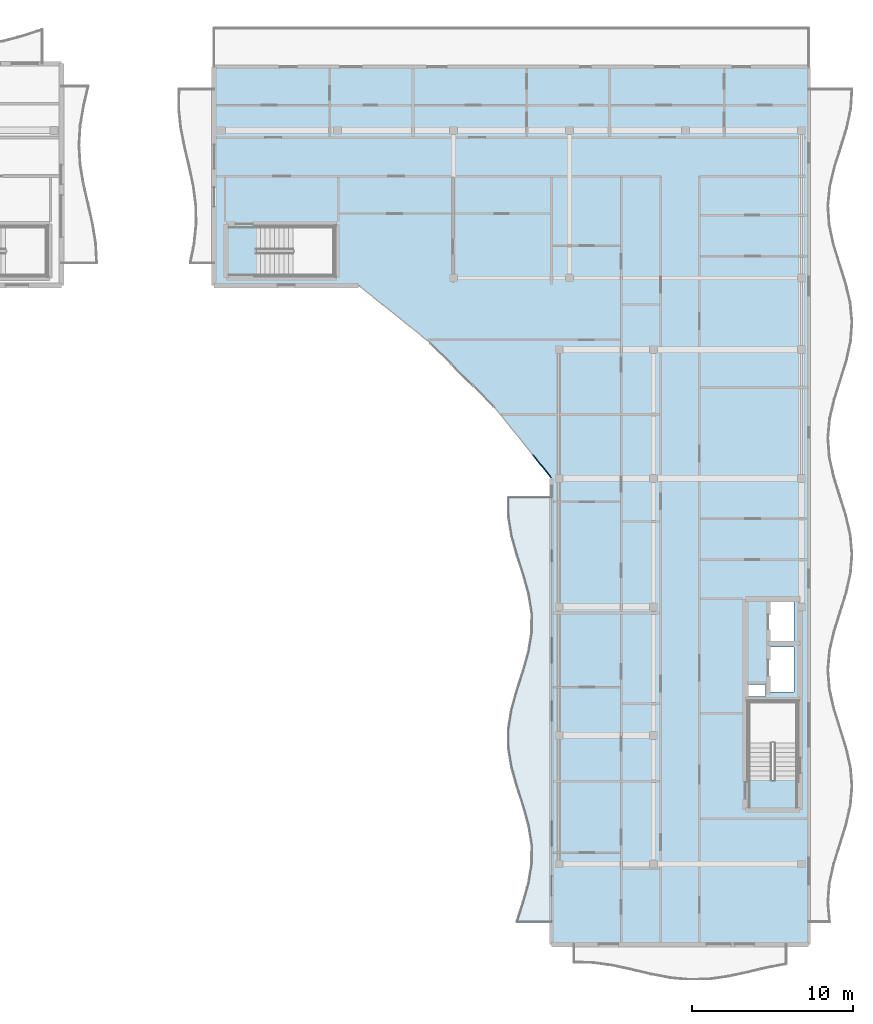
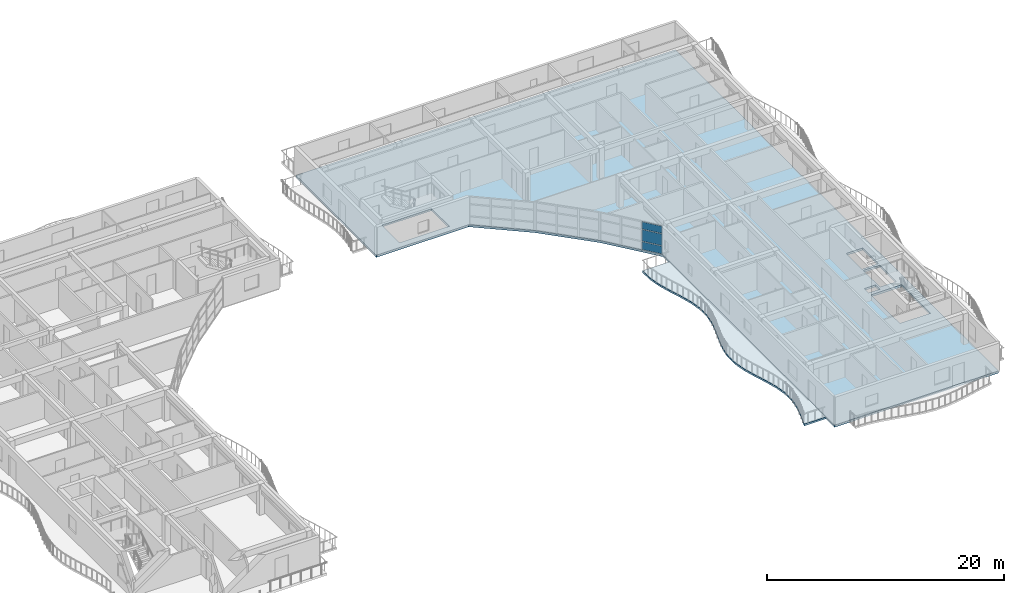
# One storey, part 18 of 39: 3 plates, 2 slabs, 1 element without a shape of its own.
"""IFC4 building model written with IfcOpenShell, lengths in metres."""

from ifc_helpers import new_model, si_unit, direction, frame, origin, origin_2d, place, context, subcontext, project, spatial, polyline, rectangle, outline, extrude, material, layer, layer_set, type_object, element, aggregate, save


model = new_model("IFC4")

# Units and contexts
model_context = context("Model", 3, precision=1e-05, world=origin(), true_north=direction((0.0, 1.0)))
body_context = subcontext(model_context, "Body", "Model", "MODEL_VIEW")
ifc_project = project(units=[si_unit("LENGTHUNIT", "METRE"), si_unit("AREAUNIT", "SQUARE_METRE"), si_unit("VOLUMEUNIT", "CUBIC_METRE"), si_unit("PLANEANGLEUNIT", "RADIAN"), si_unit("MASSUNIT", "GRAM", prefix="KILO")], contexts=[model_context])

# Site, building, storey
site_placement = place(None, origin())
site = spatial("IfcSite", under=ifc_project, at=site_placement, CompositionType="ELEMENT")
building_placement = place(site_placement, origin())
building = spatial("IfcBuilding", under=site, at=building_placement, Name="Keldmere Railside Commons", CompositionType="ELEMENT")
storey_placement = place(building_placement, frame((0.0, 0.0, 32.9599609375)))
storey = spatial("IfcBuildingStorey", under=building, at=storey_placement, Name="L10", CompositionType="ELEMENT", Elevation=32.9599609375)

# Curtain wall, plates
ifc_material_1 = material(Name="Thermally Broken Aluminium", Category="aluminium")
ifc_layer_1 = layer(ifc_material_1, 0.159912109375, Name="Court Chord Wintergarden CW 5400x2850")
ifc_layer_set_1 = layer_set([ifc_layer_1], Name="Thermally Broken Aluminium")
curtain_wall_type = type_object("IfcCurtainWallType", Name="Court Chord Wintergarden CW 5400x2850", PredefinedType="NOTDEFINED", material=ifc_layer_set_1)
curtain_wall_placement = place(storey_placement, origin())
curtain_wall = element("IfcCurtainWall", 1, at=curtain_wall_placement, inside=storey, type_object=curtain_wall_type, Name="CW-13 CW-L10-189", PredefinedType="NOTDEFINED")
ifc_material_2 = material(Name="Insulated Aluminium Spandrel Panel", Category="aluminium")
ifc_layer_2 = layer(ifc_material_2, 0.050048828125, Name="Insulated Terracotta Spandrel Panel 50")
ifc_layer_set_2 = layer_set([ifc_layer_2], Name="Insulated Aluminium Spandrel Panel")
plate_type = type_object("IfcPlateType", Name="Insulated Terracotta Spandrel Panel 50", PredefinedType="CURTAIN_PANEL", material=ifc_layer_set_2)
plate_1_placement = place(storey_placement, frame((167.3974609375, 88.7509765625, 0.06494140625), z_axis=(0.0, 0.0, 1.0), x_axis=(-0.625768080915, 0.780009172323, 0.0)))
plate_1 = element("IfcPlate", 2, at=plate_1_placement, type_object=plate_type, Name="CW-13 panel 1.1", PredefinedType="CURTAIN_PANEL", context=body_context, shape_type="SweptSolid", body=[
    extrude(rectangle(XDim=1.795654296875, YDim=0.050048828125, at=origin_2d()), origin(), (0.0, 0.0, 1.0), 0.802490234375),
])
plate_2_placement = place(storey_placement, frame((167.3974609375, 88.7509765625, 0.9326171875), z_axis=(0.0, 0.0, 1.0), x_axis=(-0.625768080915, 0.780009172323, 0.0)))
plate_2 = element("IfcPlate", 3, at=plate_2_placement, type_object=plate_type, Name="CW-13 panel 1.2", PredefinedType="CURTAIN_PANEL", context=body_context, shape_type="SweptSolid", body=[
    extrude(rectangle(XDim=1.795654296875, YDim=0.050048828125, at=origin_2d()), origin(), (0.0, 0.0, 1.0), 1.18505859375),
])
plate_3_placement = place(storey_placement, frame((167.3974609375, 88.7509765625, 2.1826171875), z_axis=(0.0, 0.0, 1.0), x_axis=(-0.625768080915, 0.780009172323, 0.0)))
plate_3 = element("IfcPlate", 4, at=plate_3_placement, type_object=plate_type, Name="CW-13 panel 1.3", PredefinedType="CURTAIN_PANEL", context=body_context, shape_type="SweptSolid", body=[
    extrude(rectangle(XDim=1.795654296875, YDim=0.050048828125, at=origin_2d()), origin(), (0.0, 0.0, 1.0), 0.732421875),
])
aggregate(curtain_wall, [plate_1, plate_2, plate_3])

# Slabs
ifc_material_3 = material(Name="Concrete H-30 (C30/37)", Category="concrete")
ifc_layer_3 = layer(ifc_material_3, 0.219970703125, Name="Residential Flat Slab 220")
ifc_layer_set_3 = layer_set([ifc_layer_3], Name="Concrete H-30 (C30/37)")
slab_type_1 = type_object("IfcSlabType", Name="Residential Flat Slab 220", PredefinedType="FLOOR", material=ifc_layer_set_3)
slab_1_placement = place(storey_placement, frame((0.0, 0.0, -0.219970703125)))
element("IfcSlab", 5, at=slab_1_placement, inside=storey, type_object=slab_type_1, Name="FS-2 BLKA-L10-064", PredefinedType="FLOOR", context=body_context, shape_type="SweptSolid", body=[
    extrude(outline(polyline([(168.0, 59.0), (184.0, 59.0), (184.0, 113.60009765625), (147.0, 113.60009765625), (147.0, 100.0), (156.0, 100.0), (160.429931640625, 96.446044921875), (164.446044921875, 92.429931640625), (168.0, 88.0), (168.0, 59.0)]), holes=[polyline([(183.27490234375, 74.074951171875), (183.27490234375, 69.22509765625), (180.27490234375, 69.22509765625), (180.27490234375, 74.074951171875), (183.27490234375, 74.074951171875)]), polyline([(181.320068359375, 74.419921875), (180.219970703125, 74.419921875), (180.219970703125, 75.159912109375), (181.320068359375, 75.159912109375), (181.320068359375, 74.419921875)]), polyline([(183.10009765625, 77.5), (183.10009765625, 74.699951171875), (181.5, 74.699951171875), (181.5, 77.5), (183.10009765625, 77.5)]), polyline([(183.10009765625, 80.39990234375), (183.10009765625, 77.75), (181.5, 77.75), (181.5, 80.39990234375), (183.10009765625, 80.39990234375)]), polyline([(149.625, 100.625), (149.625, 103.625), (154.47509765625, 103.625), (154.47509765625, 100.625), (149.625, 100.625)])]), origin(), (0.0, 0.0, 1.0), 0.219970703125),
])
ifc_material_4 = material(Name="White Precast Concrete H-35 (C35/45)", Category="concrete")
ifc_layer_4 = layer(ifc_material_4, 0.179931640625, Name="Sinusoidal Wave Balcony Slab 180")
ifc_layer_set_4 = layer_set([ifc_layer_4], Name="White Precast Concrete H-35 (C35/45)")
slab_type_2 = type_object("IfcSlabType", Name="Sinusoidal Wave Balcony Slab 180", PredefinedType="FLOOR", material=ifc_layer_set_4)
slab_2_placement = place(storey_placement, frame((0.0, 0.0, -0.179931640625)))
element("IfcSlab", 6, at=slab_2_placement, inside=storey, type_object=slab_type_2, Name="WB-1 A L10 CW Wave Balcony", PredefinedType="FLOOR", context=body_context, shape_type="SweptSolid", body=[
    extrude(outline(polyline([(168.0, 60.39990234375), (168.0, 61.60009765625), (168.0, 62.800048828125), (168.0, 64.0), (168.0, 65.199951171875), (168.0, 66.39990234375), (168.0, 67.60009765625), (168.0, 68.800048828125), (168.0, 70.0), (168.0, 71.199951171875), (168.0, 72.39990234375), (168.0, 73.60009765625), (168.0, 74.800048828125), (168.0, 76.0), (168.0, 77.199951171875), (168.0, 78.39990234375), (168.0, 79.60009765625), (168.0, 80.800048828125), (168.0, 82.0), (168.0, 83.199951171875), (168.0, 84.39990234375), (168.0, 85.60009765625), (168.0, 86.800048828125), (165.322998046875, 86.800048828125), (165.328125, 85.60009765625), (165.526611328125, 84.39990234375), (165.865234375, 83.199951171875), (166.25341796875, 82.0), (166.587158203125, 80.800048828125), (166.77685546875, 79.60009765625), (166.77197265625, 78.39990234375), (166.573486328125, 77.199951171875), (166.234619140625, 76.0), (165.846435546875, 74.800048828125), (165.5126953125, 73.60009765625), (165.322998046875, 72.39990234375), (165.328125, 71.199951171875), (165.526611328125, 70.0), (165.865234375, 68.800048828125), (166.25341796875, 67.60009765625), (166.587158203125, 66.39990234375), (166.77685546875, 65.199951171875), (166.77197265625, 64.0), (166.573486328125, 62.800048828125), (166.234619140625, 61.60009765625), (165.846435546875, 60.39990234375), (168.0, 60.39990234375)])), origin(), (0.0, 0.0, 1.0), 0.179931640625),
])

save(model, "model.ifc")
